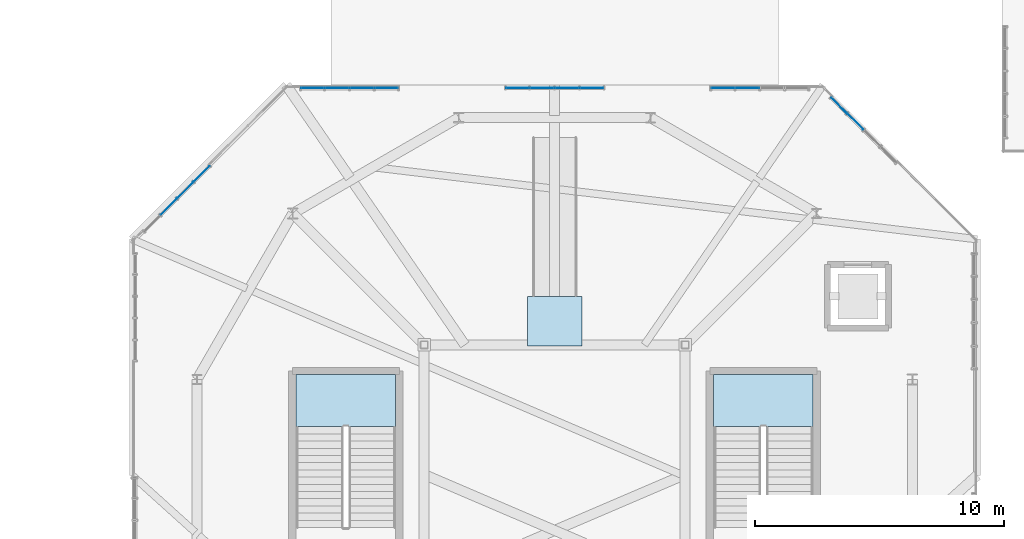
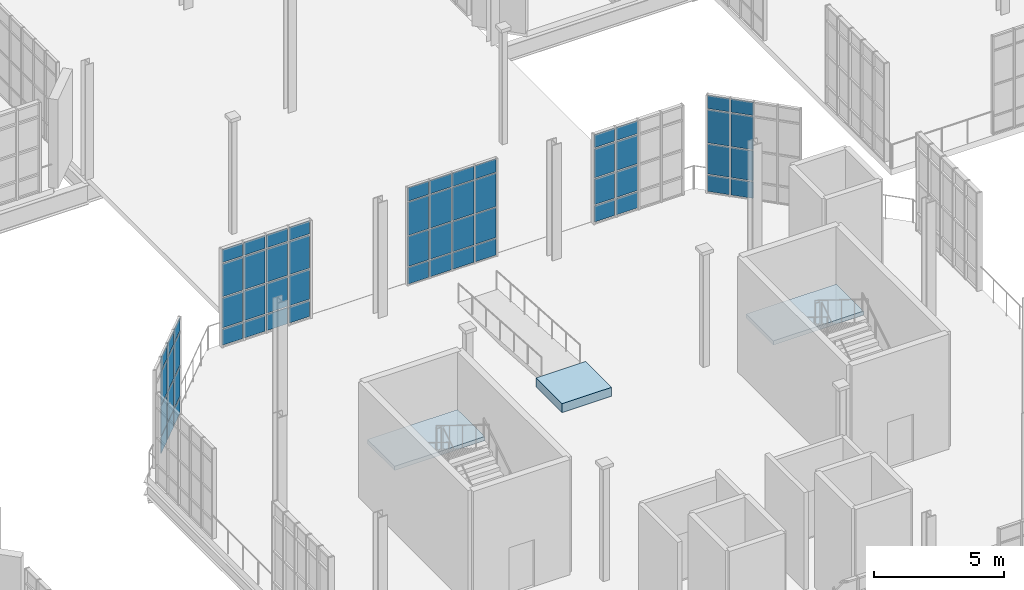
# One storey, part 152 of 189: 60 plates, 3 slabs, 7 elements without a shape of their own.
"""IFC4 building model written with IfcOpenShell, lengths in metres."""

from ifc_helpers import new_model, si_unit, direction, frame, origin, origin_2d, place, context, subcontext, project, spatial, polyline, rectangle, outline, extrude, material, layer, layer_set, type_object, element, aggregate, save


model = new_model("IFC4")

# Units and contexts
model_context = context("Model", 3, precision=1e-05, world=origin(), true_north=direction((0.0, 1.0)))
body_context = subcontext(model_context, "Body", "Model", "MODEL_VIEW")
ifc_project = project(units=[si_unit("LENGTHUNIT", "METRE"), si_unit("AREAUNIT", "SQUARE_METRE"), si_unit("VOLUMEUNIT", "CUBIC_METRE"), si_unit("PLANEANGLEUNIT", "RADIAN"), si_unit("MASSUNIT", "GRAM", prefix="KILO"), si_unit("THERMODYNAMICTEMPERATUREUNIT", "KELVIN"), si_unit("POWERUNIT", "WATT")], contexts=[model_context])

# Site, building, storey
site_placement = place(None, origin())
site = spatial("IfcSite", under=ifc_project, at=site_placement, CompositionType="ELEMENT")
building_placement = place(site_placement, origin())
building = spatial("IfcBuilding", under=site, at=building_placement, Name="Zelmaris Science Centre", CompositionType="ELEMENT")
storey_placement = place(building_placement, origin())
storey = spatial("IfcBuildingStorey", under=building, at=storey_placement, Name="L00", CompositionType="ELEMENT", Elevation=0.0)

# Curtain wall, plates
ifc_material_1 = material(Name="Anodised architectural aluminium 6063-T6", Category="aluminium")
ifc_layer_1 = layer(ifc_material_1, 0.199951171875, Name="Anodised architectural aluminium 6063-T6")
ifc_layer_set_1 = layer_set([ifc_layer_1], Name="Anodised architectural aluminium 6063-T6")
curtain_wall_type_1 = type_object("IfcCurtainWallType", Name="Curtain Wall CW-02", PredefinedType="USERDEFINED", material=ifc_layer_set_1)
curtain_wall_1_placement = place(storey_placement, origin())
curtain_wall_1 = element("IfcCurtainWall", 1, at=curtain_wall_1_placement, inside=storey, type_object=curtain_wall_type_1, Name="L00 Unitised curtain wall 54", ObjectType="GLAZED CURTAIN WALL", PredefinedType="USERDEFINED")
ifc_material_2 = material(Name="Laminated hurricane-rated low-E insulated glazing", Category="glass")
ifc_layer_2 = layer(ifc_material_2, 0.028076171875, Name="Laminated hurricane-rated low-E insulated glazing")
ifc_layer_set_2 = layer_set([ifc_layer_2], Name="Laminated hurricane-rated low-E insulated glazing")
plate_type_1 = type_object("IfcPlateType", Name="Curtain Glazing Panel CWP-2 28mm", PredefinedType="CURTAIN_PANEL", material=ifc_layer_set_2)
plate_1_placement = place(storey_placement, frame((71.25927734375, 51.580078125, 0.052001953125), z_axis=(0.0, 0.0, 1.0), x_axis=(1.0, 0.0, 0.0)))
plate_1 = element("IfcPlate", 2, at=plate_1_placement, type_object=plate_type_1, Name="CW-02 panel 1.1", PredefinedType="CURTAIN_PANEL", context=body_context, shape_type="SweptSolid", body=[
    extrude(rectangle(XDim=0.9013671875, YDim=0.028076171875, at=origin_2d()), origin(), (0.0, 0.0, 1.0), 0.74951171875),
])
plate_2_placement = place(storey_placement, frame((71.25927734375, 51.580078125, 0.86865234375), z_axis=(0.0, 0.0, 1.0), x_axis=(1.0, 0.0, 0.0)))
plate_2 = element("IfcPlate", 3, at=plate_2_placement, type_object=plate_type_1, Name="CW-02 panel 1.2", PredefinedType="CURTAIN_PANEL", context=body_context, shape_type="SweptSolid", body=[
    extrude(rectangle(XDim=0.9013671875, YDim=0.028076171875, at=origin_2d()), origin(), (0.0, 0.0, 1.0), 1.390380859375),
])
plate_3_placement = place(storey_placement, frame((71.25927734375, 51.580078125, 2.325927734375), z_axis=(0.0, 0.0, 1.0), x_axis=(1.0, 0.0, 0.0)))
plate_3 = element("IfcPlate", 4, at=plate_3_placement, type_object=plate_type_1, Name="CW-02 panel 1.3", PredefinedType="CURTAIN_PANEL", context=body_context, shape_type="SweptSolid", body=[
    extrude(rectangle(XDim=0.9013671875, YDim=0.028076171875, at=origin_2d()), origin(), (0.0, 0.0, 1.0), 1.54052734375),
])
plate_4_placement = place(storey_placement, frame((71.25927734375, 51.580078125, 3.933349609375), z_axis=(0.0, 0.0, 1.0), x_axis=(1.0, 0.0, 0.0)))
plate_4 = element("IfcPlate", 5, at=plate_4_placement, type_object=plate_type_1, Name="CW-02 panel 1.4", PredefinedType="CURTAIN_PANEL", context=body_context, shape_type="SweptSolid", body=[
    extrude(rectangle(XDim=0.9013671875, YDim=0.028076171875, at=origin_2d()), origin(), (0.0, 0.0, 1.0), 0.599609375),
])
plate_5_placement = place(storey_placement, frame((72.244384765625, 51.580078125, 0.052001953125), z_axis=(0.0, 0.0, 1.0), x_axis=(1.0, 0.0, 0.0)))
plate_5 = element("IfcPlate", 6, at=plate_5_placement, type_object=plate_type_1, Name="CW-02 panel 2.1", PredefinedType="CURTAIN_PANEL", context=body_context, shape_type="SweptSolid", body=[
    extrude(rectangle(XDim=0.934814453125, YDim=0.028076171875, at=origin_2d()), origin(), (0.0, 0.0, 1.0), 0.74951171875),
])
plate_6_placement = place(storey_placement, frame((72.244384765625, 51.580078125, 0.86865234375), z_axis=(0.0, 0.0, 1.0), x_axis=(1.0, 0.0, 0.0)))
plate_6 = element("IfcPlate", 7, at=plate_6_placement, type_object=plate_type_1, Name="CW-02 panel 2.2", PredefinedType="CURTAIN_PANEL", context=body_context, shape_type="SweptSolid", body=[
    extrude(rectangle(XDim=0.934814453125, YDim=0.028076171875, at=origin_2d()), origin(), (0.0, 0.0, 1.0), 1.390380859375),
])
plate_7_placement = place(storey_placement, frame((72.244384765625, 51.580078125, 2.325927734375), z_axis=(0.0, 0.0, 1.0), x_axis=(1.0, 0.0, 0.0)))
plate_7 = element("IfcPlate", 8, at=plate_7_placement, type_object=plate_type_1, Name="CW-02 panel 2.3", PredefinedType="CURTAIN_PANEL", context=body_context, shape_type="SweptSolid", body=[
    extrude(rectangle(XDim=0.934814453125, YDim=0.028076171875, at=origin_2d()), origin(), (0.0, 0.0, 1.0), 1.54052734375),
])
plate_8_placement = place(storey_placement, frame((72.244384765625, 51.580078125, 3.933349609375), z_axis=(0.0, 0.0, 1.0), x_axis=(1.0, 0.0, 0.0)))
plate_8 = element("IfcPlate", 9, at=plate_8_placement, type_object=plate_type_1, Name="CW-02 panel 2.4", PredefinedType="CURTAIN_PANEL", context=body_context, shape_type="SweptSolid", body=[
    extrude(rectangle(XDim=0.934814453125, YDim=0.028076171875, at=origin_2d()), origin(), (0.0, 0.0, 1.0), 0.599609375),
])
plate_9_placement = place(storey_placement, frame((73.246337890625, 51.580078125, 0.052001953125), z_axis=(0.0, 0.0, 1.0), x_axis=(1.0, 0.0, 0.0)))
plate_9 = element("IfcPlate", 10, at=plate_9_placement, type_object=plate_type_1, Name="CW-02 panel 3.1", PredefinedType="CURTAIN_PANEL", context=body_context, shape_type="SweptSolid", body=[
    extrude(rectangle(XDim=0.934814453125, YDim=0.028076171875, at=origin_2d()), origin(), (0.0, 0.0, 1.0), 0.74951171875),
])
plate_10_placement = place(storey_placement, frame((73.246337890625, 51.580078125, 0.86865234375), z_axis=(0.0, 0.0, 1.0), x_axis=(1.0, 0.0, 0.0)))
plate_10 = element("IfcPlate", 11, at=plate_10_placement, type_object=plate_type_1, Name="CW-02 panel 3.2", PredefinedType="CURTAIN_PANEL", context=body_context, shape_type="SweptSolid", body=[
    extrude(rectangle(XDim=0.934814453125, YDim=0.028076171875, at=origin_2d()), origin(), (0.0, 0.0, 1.0), 1.390380859375),
])
plate_11_placement = place(storey_placement, frame((73.246337890625, 51.580078125, 2.325927734375), z_axis=(0.0, 0.0, 1.0), x_axis=(1.0, 0.0, 0.0)))
plate_11 = element("IfcPlate", 12, at=plate_11_placement, type_object=plate_type_1, Name="CW-02 panel 3.3", PredefinedType="CURTAIN_PANEL", context=body_context, shape_type="SweptSolid", body=[
    extrude(rectangle(XDim=0.934814453125, YDim=0.028076171875, at=origin_2d()), origin(), (0.0, 0.0, 1.0), 1.54052734375),
])
plate_12_placement = place(storey_placement, frame((73.246337890625, 51.580078125, 3.933349609375), z_axis=(0.0, 0.0, 1.0), x_axis=(1.0, 0.0, 0.0)))
plate_12 = element("IfcPlate", 13, at=plate_12_placement, type_object=plate_type_1, Name="CW-02 panel 3.4", PredefinedType="CURTAIN_PANEL", context=body_context, shape_type="SweptSolid", body=[
    extrude(rectangle(XDim=0.934814453125, YDim=0.028076171875, at=origin_2d()), origin(), (0.0, 0.0, 1.0), 0.599609375),
])
plate_13_placement = place(storey_placement, frame((74.2314453125, 51.580078125, 0.052001953125), z_axis=(0.0, 0.0, 1.0), x_axis=(1.0, 0.0, 0.0)))
plate_13 = element("IfcPlate", 14, at=plate_13_placement, type_object=plate_type_1, Name="CW-02 panel 4.1", PredefinedType="CURTAIN_PANEL", context=body_context, shape_type="SweptSolid", body=[
    extrude(rectangle(XDim=0.9013671875, YDim=0.028076171875, at=origin_2d()), origin(), (0.0, 0.0, 1.0), 0.74951171875),
])
plate_14_placement = place(storey_placement, frame((74.2314453125, 51.580078125, 0.86865234375), z_axis=(0.0, 0.0, 1.0), x_axis=(1.0, 0.0, 0.0)))
plate_14 = element("IfcPlate", 15, at=plate_14_placement, type_object=plate_type_1, Name="CW-02 panel 4.2", PredefinedType="CURTAIN_PANEL", context=body_context, shape_type="SweptSolid", body=[
    extrude(rectangle(XDim=0.9013671875, YDim=0.028076171875, at=origin_2d()), origin(), (0.0, 0.0, 1.0), 1.390380859375),
])
plate_15_placement = place(storey_placement, frame((74.2314453125, 51.580078125, 2.325927734375), z_axis=(0.0, 0.0, 1.0), x_axis=(1.0, 0.0, 0.0)))
plate_15 = element("IfcPlate", 16, at=plate_15_placement, type_object=plate_type_1, Name="CW-02 panel 4.3", PredefinedType="CURTAIN_PANEL", context=body_context, shape_type="SweptSolid", body=[
    extrude(rectangle(XDim=0.9013671875, YDim=0.028076171875, at=origin_2d()), origin(), (0.0, 0.0, 1.0), 1.54052734375),
])
plate_16_placement = place(storey_placement, frame((74.2314453125, 51.580078125, 3.933349609375), z_axis=(0.0, 0.0, 1.0), x_axis=(1.0, 0.0, 0.0)))
plate_16 = element("IfcPlate", 17, at=plate_16_placement, type_object=plate_type_1, Name="CW-02 panel 4.4", PredefinedType="CURTAIN_PANEL", context=body_context, shape_type="SweptSolid", body=[
    extrude(rectangle(XDim=0.9013671875, YDim=0.028076171875, at=origin_2d()), origin(), (0.0, 0.0, 1.0), 0.599609375),
])
aggregate(curtain_wall_1, [plate_1, plate_2, plate_3, plate_4, plate_5, plate_6, plate_7, plate_8, plate_9, plate_10, plate_11, plate_12, plate_13, plate_14, plate_15, plate_16])

curtain_wall_2_placement = place(storey_placement, origin())
curtain_wall_2 = element("IfcCurtainWall", 18, at=curtain_wall_2_placement, inside=storey, type_object=curtain_wall_type_1, Name="L00 Unitised curtain wall 58", ObjectType="GLAZED CURTAIN WALL", PredefinedType="USERDEFINED")
plate_17_placement = place(storey_placement, frame((87.77001953125, 51.579833984375, 0.052001953125), z_axis=(0.0, 0.0, 1.0), x_axis=(1.0, 0.0, 0.0)))
plate_17 = element("IfcPlate", 19, at=plate_17_placement, type_object=plate_type_1, Name="CW-02 panel 1.1", PredefinedType="CURTAIN_PANEL", context=body_context, shape_type="SweptSolid", body=[
    extrude(rectangle(XDim=0.9013671875, YDim=0.028076171875, at=origin_2d()), origin(), (0.0, 0.0, 1.0), 0.74951171875),
])
plate_18_placement = place(storey_placement, frame((87.77001953125, 51.579833984375, 0.86865234375), z_axis=(0.0, 0.0, 1.0), x_axis=(1.0, 0.0, 0.0)))
plate_18 = element("IfcPlate", 20, at=plate_18_placement, type_object=plate_type_1, Name="CW-02 panel 1.2", PredefinedType="CURTAIN_PANEL", context=body_context, shape_type="SweptSolid", body=[
    extrude(rectangle(XDim=0.9013671875, YDim=0.028076171875, at=origin_2d()), origin(), (0.0, 0.0, 1.0), 1.193603515625),
])
plate_19_placement = place(storey_placement, frame((87.77001953125, 51.579833984375, 2.12890625), z_axis=(0.0, 0.0, 1.0), x_axis=(1.0, 0.0, 0.0)))
plate_19 = element("IfcPlate", 21, at=plate_19_placement, type_object=plate_type_1, Name="CW-02 panel 1.3", PredefinedType="CURTAIN_PANEL", context=body_context, shape_type="SweptSolid", body=[
    extrude(rectangle(XDim=0.9013671875, YDim=0.028076171875, at=origin_2d()), origin(), (0.0, 0.0, 1.0), 1.343505859375),
])
plate_20_placement = place(storey_placement, frame((87.77001953125, 51.579833984375, 3.53955078125), z_axis=(0.0, 0.0, 1.0), x_axis=(1.0, 0.0, 0.0)))
plate_20 = element("IfcPlate", 22, at=plate_20_placement, type_object=plate_type_1, Name="CW-02 panel 1.4", PredefinedType="CURTAIN_PANEL", context=body_context, shape_type="SweptSolid", body=[
    extrude(rectangle(XDim=0.9013671875, YDim=0.028076171875, at=origin_2d()), origin(), (0.0, 0.0, 1.0), 0.599609375),
])
plate_21_placement = place(storey_placement, frame((88.755126953125, 51.579833984375, 0.052001953125), z_axis=(0.0, 0.0, 1.0), x_axis=(1.0, 0.0, 0.0)))
plate_21 = element("IfcPlate", 23, at=plate_21_placement, type_object=plate_type_1, Name="CW-02 panel 2.1", PredefinedType="CURTAIN_PANEL", context=body_context, shape_type="SweptSolid", body=[
    extrude(rectangle(XDim=0.934814453125, YDim=0.028076171875, at=origin_2d()), origin(), (0.0, 0.0, 1.0), 0.74951171875),
])
plate_22_placement = place(storey_placement, frame((88.755126953125, 51.579833984375, 0.86865234375), z_axis=(0.0, 0.0, 1.0), x_axis=(1.0, 0.0, 0.0)))
plate_22 = element("IfcPlate", 24, at=plate_22_placement, type_object=plate_type_1, Name="CW-02 panel 2.2", PredefinedType="CURTAIN_PANEL", context=body_context, shape_type="SweptSolid", body=[
    extrude(rectangle(XDim=0.934814453125, YDim=0.028076171875, at=origin_2d()), origin(), (0.0, 0.0, 1.0), 1.193603515625),
])
plate_23_placement = place(storey_placement, frame((88.755126953125, 51.579833984375, 2.12890625), z_axis=(0.0, 0.0, 1.0), x_axis=(1.0, 0.0, 0.0)))
plate_23 = element("IfcPlate", 25, at=plate_23_placement, type_object=plate_type_1, Name="CW-02 panel 2.3", PredefinedType="CURTAIN_PANEL", context=body_context, shape_type="SweptSolid", body=[
    extrude(rectangle(XDim=0.934814453125, YDim=0.028076171875, at=origin_2d()), origin(), (0.0, 0.0, 1.0), 1.343505859375),
])
plate_24_placement = place(storey_placement, frame((88.755126953125, 51.579833984375, 3.53955078125), z_axis=(0.0, 0.0, 1.0), x_axis=(1.0, 0.0, 0.0)))
plate_24 = element("IfcPlate", 26, at=plate_24_placement, type_object=plate_type_1, Name="CW-02 panel 2.4", PredefinedType="CURTAIN_PANEL", context=body_context, shape_type="SweptSolid", body=[
    extrude(rectangle(XDim=0.934814453125, YDim=0.028076171875, at=origin_2d()), origin(), (0.0, 0.0, 1.0), 0.599609375),
])
aggregate(curtain_wall_2, [plate_17, plate_18, plate_19, plate_20, plate_21, plate_22, plate_23, plate_24])

ifc_layer_3 = layer(ifc_material_1, 0.2099609375, Name="Anodised architectural aluminium 6063-T6")
ifc_layer_set_3 = layer_set([ifc_layer_3], Name="Anodised architectural aluminium 6063-T6")
curtain_wall_type_2 = type_object("IfcCurtainWallType", Name="Curtain Wall CW-03", PredefinedType="USERDEFINED", material=ifc_layer_set_3)
curtain_wall_3_placement = place(storey_placement, origin())
curtain_wall_3 = element("IfcCurtainWall", 27, at=curtain_wall_3_placement, inside=storey, type_object=curtain_wall_type_2, Name="L00 Unitised curtain wall 59", ObjectType="GLAZED CURTAIN WALL", PredefinedType="USERDEFINED")
ifc_layer_4 = layer(ifc_material_2, 0.02587890625, Name="Laminated hurricane-rated low-E insulated glazing")
ifc_layer_set_4 = layer_set([ifc_layer_4], Name="Laminated hurricane-rated low-E insulated glazing")
plate_type_2 = type_object("IfcPlateType", Name="Curtain Glazing Panel CWP-3 26mm", PredefinedType="CURTAIN_PANEL", material=ifc_layer_set_4)
plate_25_placement = place(storey_placement, frame((92.44140625, 50.888671875, 0.0419921875), z_axis=(0.0, 0.0, 1.0), x_axis=(0.707106781187, -0.707106781187, 0.0)))
plate_25 = element("IfcPlate", 28, at=plate_25_placement, type_object=plate_type_2, Name="CW-03 panel 1.1", PredefinedType="CURTAIN_PANEL", context=body_context, shape_type="SweptSolid", body=[
    extrude(rectangle(XDim=0.860595703125, YDim=0.02587890625, at=origin_2d()), origin(), (0.0, 0.0, 1.0), 0.764404296875),
])
plate_26_placement = place(storey_placement, frame((92.44140625, 50.888671875, 0.863525390625), z_axis=(0.0, 0.0, 1.0), x_axis=(0.707106781187, -0.707106781187, 0.0)))
plate_26 = element("IfcPlate", 29, at=plate_26_placement, type_object=plate_type_2, Name="CW-03 panel 1.2", PredefinedType="CURTAIN_PANEL", context=body_context, shape_type="SweptSolid", body=[
    extrude(rectangle(XDim=0.860595703125, YDim=0.02587890625, at=origin_2d()), origin(), (0.0, 0.0, 1.0), 1.400390625),
])
plate_27_placement = place(storey_placement, frame((92.44140625, 50.888671875, 2.32080078125), z_axis=(0.0, 0.0, 1.0), x_axis=(0.707106781187, -0.707106781187, 0.0)))
plate_27 = element("IfcPlate", 30, at=plate_27_placement, type_object=plate_type_2, Name="CW-03 panel 1.3", PredefinedType="CURTAIN_PANEL", context=body_context, shape_type="SweptSolid", body=[
    extrude(rectangle(XDim=0.860595703125, YDim=0.02587890625, at=origin_2d()), origin(), (0.0, 0.0, 1.0), 1.550537109375),
])
plate_28_placement = place(storey_placement, frame((92.44140625, 50.888671875, 3.9287109375), z_axis=(0.0, 0.0, 1.0), x_axis=(0.707106781187, -0.707106781187, 0.0)))
plate_28 = element("IfcPlate", 31, at=plate_28_placement, type_object=plate_type_2, Name="CW-03 panel 1.4", PredefinedType="CURTAIN_PANEL", context=body_context, shape_type="SweptSolid", body=[
    extrude(rectangle(XDim=0.860595703125, YDim=0.02587890625, at=origin_2d()), origin(), (0.0, 0.0, 1.0), 0.614501953125),
])
plate_29_placement = place(storey_placement, frame((93.100341796875, 50.229736328125, 0.0419921875), z_axis=(0.0, 0.0, 1.0), x_axis=(0.707106781187, -0.707106781187, 0.0)))
plate_29 = element("IfcPlate", 32, at=plate_29_placement, type_object=plate_type_2, Name="CW-03 panel 2.1", PredefinedType="CURTAIN_PANEL", context=body_context, shape_type="SweptSolid", body=[
    extrude(rectangle(XDim=0.888916015625, YDim=0.02587890625, at=origin_2d()), origin(), (0.0, 0.0, 1.0), 0.764404296875),
])
plate_30_placement = place(storey_placement, frame((93.100341796875, 50.229736328125, 0.863525390625), z_axis=(0.0, 0.0, 1.0), x_axis=(0.707106781187, -0.707106781187, 0.0)))
plate_30 = element("IfcPlate", 33, at=plate_30_placement, type_object=plate_type_2, Name="CW-03 panel 2.2", PredefinedType="CURTAIN_PANEL", context=body_context, shape_type="SweptSolid", body=[
    extrude(rectangle(XDim=0.888916015625, YDim=0.02587890625, at=origin_2d()), origin(), (0.0, 0.0, 1.0), 1.400390625),
])
plate_31_placement = place(storey_placement, frame((93.100341796875, 50.229736328125, 2.32080078125), z_axis=(0.0, 0.0, 1.0), x_axis=(0.707106781187, -0.707106781187, 0.0)))
plate_31 = element("IfcPlate", 34, at=plate_31_placement, type_object=plate_type_2, Name="CW-03 panel 2.3", PredefinedType="CURTAIN_PANEL", context=body_context, shape_type="SweptSolid", body=[
    extrude(rectangle(XDim=0.888916015625, YDim=0.02587890625, at=origin_2d()), origin(), (0.0, 0.0, 1.0), 1.550537109375),
])
plate_32_placement = place(storey_placement, frame((93.100341796875, 50.229736328125, 3.9287109375), z_axis=(0.0, 0.0, 1.0), x_axis=(0.707106781187, -0.707106781187, 0.0)))
plate_32 = element("IfcPlate", 35, at=plate_32_placement, type_object=plate_type_2, Name="CW-03 panel 2.4", PredefinedType="CURTAIN_PANEL", context=body_context, shape_type="SweptSolid", body=[
    extrude(rectangle(XDim=0.888916015625, YDim=0.02587890625, at=origin_2d()), origin(), (0.0, 0.0, 1.0), 0.614501953125),
])
aggregate(curtain_wall_3, [plate_25, plate_26, plate_27, plate_28, plate_29, plate_30, plate_31, plate_32])

ifc_layer_5 = layer(ifc_material_1, 0.219970703125, Name="Anodised architectural aluminium 6063-T6")
ifc_layer_set_5 = layer_set([ifc_layer_5], Name="Anodised architectural aluminium 6063-T6")
curtain_wall_type_3 = type_object("IfcCurtainWallType", Name="Curtain Wall CW-04", PredefinedType="USERDEFINED", material=ifc_layer_set_5)
curtain_wall_4_placement = place(storey_placement, origin())
curtain_wall_4 = element("IfcCurtainWall", 36, at=curtain_wall_4_placement, inside=storey, type_object=curtain_wall_type_3, Name="L00 Unitised curtain wall 52", ObjectType="GLAZED CURTAIN WALL", PredefinedType="USERDEFINED")
ifc_layer_6 = layer(ifc_material_2, 0.02392578125, Name="Laminated hurricane-rated low-E insulated glazing")
ifc_layer_set_6 = layer_set([ifc_layer_6], Name="Laminated hurricane-rated low-E insulated glazing")
plate_type_3 = type_object("IfcPlateType", Name="Curtain Glazing Panel CWP-4 24mm", PredefinedType="CURTAIN_PANEL", material=ifc_layer_set_6)
plate_33_placement = place(storey_placement, frame((65.470458984375, 46.80029296875, 0.037109375), z_axis=(0.0, 0.0, 1.0), x_axis=(0.707172836921, 0.707040719281, 0.0)))
plate_33 = element("IfcPlate", 37, at=plate_33_placement, type_object=plate_type_3, Name="CW-04 panel 2.1", PredefinedType="CURTAIN_PANEL", context=body_context, shape_type="SweptSolid", body=[
    extrude(rectangle(XDim=0.89404296875, YDim=0.02392578125, at=origin_2d()), origin(), (0.0, 0.0, 1.0), 0.77197265625),
])
plate_34_placement = place(storey_placement, frame((65.470458984375, 46.80029296875, 0.86083984375), z_axis=(0.0, 0.0, 1.0), x_axis=(0.707172836921, 0.707040719281, 0.0)))
plate_34 = element("IfcPlate", 38, at=plate_34_placement, type_object=plate_type_3, Name="CW-04 panel 2.2", PredefinedType="CURTAIN_PANEL", context=body_context, shape_type="SweptSolid", body=[
    extrude(rectangle(XDim=0.89404296875, YDim=0.02392578125, at=origin_2d()), origin(), (0.0, 0.0, 1.0), 1.405517578125),
])
plate_35_placement = place(storey_placement, frame((65.470458984375, 46.80029296875, 2.318359375), z_axis=(0.0, 0.0, 1.0), x_axis=(0.707172836921, 0.707040719281, 0.0)))
plate_35 = element("IfcPlate", 39, at=plate_35_placement, type_object=plate_type_3, Name="CW-04 panel 2.3", PredefinedType="CURTAIN_PANEL", context=body_context, shape_type="SweptSolid", body=[
    extrude(rectangle(XDim=0.89404296875, YDim=0.02392578125, at=origin_2d()), origin(), (0.0, 0.0, 1.0), 1.555419921875),
])
plate_36_placement = place(storey_placement, frame((65.470458984375, 46.80029296875, 3.926025390625), z_axis=(0.0, 0.0, 1.0), x_axis=(0.707172836921, 0.707040719281, 0.0)))
plate_36 = element("IfcPlate", 40, at=plate_36_placement, type_object=plate_type_3, Name="CW-04 panel 2.4", PredefinedType="CURTAIN_PANEL", context=body_context, shape_type="SweptSolid", body=[
    extrude(rectangle(XDim=0.89404296875, YDim=0.02392578125, at=origin_2d()), origin(), (0.0, 0.0, 1.0), 0.6220703125),
])
plate_37_placement = place(storey_placement, frame((66.139404296875, 47.46923828125, 0.037109375), z_axis=(0.0, 0.0, 1.0), x_axis=(0.707172836921, 0.707040719281, 0.0)))
plate_37 = element("IfcPlate", 41, at=plate_37_placement, type_object=plate_type_3, Name="CW-04 panel 3.1", PredefinedType="CURTAIN_PANEL", context=body_context, shape_type="SweptSolid", body=[
    extrude(rectangle(XDim=0.89404296875, YDim=0.02392578125, at=origin_2d()), origin(), (0.0, 0.0, 1.0), 0.77197265625),
])
plate_38_placement = place(storey_placement, frame((66.139404296875, 47.46923828125, 0.86083984375), z_axis=(0.0, 0.0, 1.0), x_axis=(0.707172836921, 0.707040719281, 0.0)))
plate_38 = element("IfcPlate", 42, at=plate_38_placement, type_object=plate_type_3, Name="CW-04 panel 3.2", PredefinedType="CURTAIN_PANEL", context=body_context, shape_type="SweptSolid", body=[
    extrude(rectangle(XDim=0.89404296875, YDim=0.02392578125, at=origin_2d()), origin(), (0.0, 0.0, 1.0), 1.405517578125),
])
plate_39_placement = place(storey_placement, frame((66.139404296875, 47.46923828125, 2.318359375), z_axis=(0.0, 0.0, 1.0), x_axis=(0.707172836921, 0.707040719281, 0.0)))
plate_39 = element("IfcPlate", 43, at=plate_39_placement, type_object=plate_type_3, Name="CW-04 panel 3.3", PredefinedType="CURTAIN_PANEL", context=body_context, shape_type="SweptSolid", body=[
    extrude(rectangle(XDim=0.89404296875, YDim=0.02392578125, at=origin_2d()), origin(), (0.0, 0.0, 1.0), 1.555419921875),
])
plate_40_placement = place(storey_placement, frame((66.139404296875, 47.46923828125, 3.926025390625), z_axis=(0.0, 0.0, 1.0), x_axis=(0.707172836921, 0.707040719281, 0.0)))
plate_40 = element("IfcPlate", 44, at=plate_40_placement, type_object=plate_type_3, Name="CW-04 panel 3.4", PredefinedType="CURTAIN_PANEL", context=body_context, shape_type="SweptSolid", body=[
    extrude(rectangle(XDim=0.89404296875, YDim=0.02392578125, at=origin_2d()), origin(), (0.0, 0.0, 1.0), 0.6220703125),
])
plate_41_placement = place(storey_placement, frame((66.79931640625, 48.129150390625, 0.037109375), z_axis=(0.0, 0.0, 1.0), x_axis=(0.707172836921, 0.707040719281, 0.0)))
plate_41 = element("IfcPlate", 45, at=plate_41_placement, type_object=plate_type_3, Name="CW-04 panel 4.1", PredefinedType="CURTAIN_PANEL", context=body_context, shape_type="SweptSolid", body=[
    extrude(rectangle(XDim=0.8681640625, YDim=0.02392578125, at=origin_2d()), origin(), (0.0, 0.0, 1.0), 0.77197265625),
])
plate_42_placement = place(storey_placement, frame((66.79931640625, 48.129150390625, 0.86083984375), z_axis=(0.0, 0.0, 1.0), x_axis=(0.707172836921, 0.707040719281, 0.0)))
plate_42 = element("IfcPlate", 46, at=plate_42_placement, type_object=plate_type_3, Name="CW-04 panel 4.2", PredefinedType="CURTAIN_PANEL", context=body_context, shape_type="SweptSolid", body=[
    extrude(rectangle(XDim=0.8681640625, YDim=0.02392578125, at=origin_2d()), origin(), (0.0, 0.0, 1.0), 1.405517578125),
])
plate_43_placement = place(storey_placement, frame((66.79931640625, 48.129150390625, 2.318359375), z_axis=(0.0, 0.0, 1.0), x_axis=(0.707172836921, 0.707040719281, 0.0)))
plate_43 = element("IfcPlate", 47, at=plate_43_placement, type_object=plate_type_3, Name="CW-04 panel 4.3", PredefinedType="CURTAIN_PANEL", context=body_context, shape_type="SweptSolid", body=[
    extrude(rectangle(XDim=0.8681640625, YDim=0.02392578125, at=origin_2d()), origin(), (0.0, 0.0, 1.0), 1.555419921875),
])
plate_44_placement = place(storey_placement, frame((66.79931640625, 48.129150390625, 3.926025390625), z_axis=(0.0, 0.0, 1.0), x_axis=(0.707172836921, 0.707040719281, 0.0)))
plate_44 = element("IfcPlate", 48, at=plate_44_placement, type_object=plate_type_3, Name="CW-04 panel 4.4", PredefinedType="CURTAIN_PANEL", context=body_context, shape_type="SweptSolid", body=[
    extrude(rectangle(XDim=0.8681640625, YDim=0.02392578125, at=origin_2d()), origin(), (0.0, 0.0, 1.0), 0.6220703125),
])
aggregate(curtain_wall_4, [plate_33, plate_34, plate_35, plate_36, plate_37, plate_38, plate_39, plate_40, plate_41, plate_42, plate_43, plate_44])

curtain_wall_5_placement = place(storey_placement, origin())
curtain_wall_5 = element("IfcCurtainWall", 49, at=curtain_wall_5_placement, inside=storey, type_object=curtain_wall_type_3, Name="L00 Unitised curtain wall 56", ObjectType="GLAZED CURTAIN WALL", PredefinedType="USERDEFINED")
plate_45_placement = place(storey_placement, frame((79.5107421875, 51.580078125, 0.037109375), z_axis=(0.0, 0.0, 1.0), x_axis=(1.0, 0.0, 0.0)))
plate_45 = element("IfcPlate", 50, at=plate_45_placement, type_object=plate_type_3, Name="CW-04 panel 1.1", PredefinedType="CURTAIN_PANEL", context=body_context, shape_type="SweptSolid", body=[
    extrude(rectangle(XDim=0.923828125, YDim=0.02392578125, at=origin_2d()), origin(), (0.0, 0.0, 1.0), 0.77197265625),
])
plate_46_placement = place(storey_placement, frame((79.5107421875, 51.580078125, 0.86083984375), z_axis=(0.0, 0.0, 1.0), x_axis=(1.0, 0.0, 0.0)))
plate_46 = element("IfcPlate", 51, at=plate_46_placement, type_object=plate_type_3, Name="CW-04 panel 1.2", PredefinedType="CURTAIN_PANEL", context=body_context, shape_type="SweptSolid", body=[
    extrude(rectangle(XDim=0.923828125, YDim=0.02392578125, at=origin_2d()), origin(), (0.0, 0.0, 1.0), 1.405517578125),
])
plate_47_placement = place(storey_placement, frame((79.5107421875, 51.580078125, 2.318359375), z_axis=(0.0, 0.0, 1.0), x_axis=(1.0, 0.0, 0.0)))
plate_47 = element("IfcPlate", 52, at=plate_47_placement, type_object=plate_type_3, Name="CW-04 panel 1.3", PredefinedType="CURTAIN_PANEL", context=body_context, shape_type="SweptSolid", body=[
    extrude(rectangle(XDim=0.923828125, YDim=0.02392578125, at=origin_2d()), origin(), (0.0, 0.0, 1.0), 1.555419921875),
])
plate_48_placement = place(storey_placement, frame((79.5107421875, 51.580078125, 3.926025390625), z_axis=(0.0, 0.0, 1.0), x_axis=(1.0, 0.0, 0.0)))
plate_48 = element("IfcPlate", 53, at=plate_48_placement, type_object=plate_type_3, Name="CW-04 panel 1.4", PredefinedType="CURTAIN_PANEL", context=body_context, shape_type="SweptSolid", body=[
    extrude(rectangle(XDim=0.923828125, YDim=0.02392578125, at=origin_2d()), origin(), (0.0, 0.0, 1.0), 0.6220703125),
])
plate_49_placement = place(storey_placement, frame((80.499755859375, 51.580078125, 0.037109375), z_axis=(0.0, 0.0, 1.0), x_axis=(1.0, 0.0, 0.0)))
plate_49 = element("IfcPlate", 54, at=plate_49_placement, type_object=plate_type_3, Name="CW-04 panel 2.1", PredefinedType="CURTAIN_PANEL", context=body_context, shape_type="SweptSolid", body=[
    extrude(rectangle(XDim=0.949951171875, YDim=0.02392578125, at=origin_2d()), origin(), (0.0, 0.0, 1.0), 0.77197265625),
])
plate_50_placement = place(storey_placement, frame((80.499755859375, 51.580078125, 0.86083984375), z_axis=(0.0, 0.0, 1.0), x_axis=(1.0, 0.0, 0.0)))
plate_50 = element("IfcPlate", 55, at=plate_50_placement, type_object=plate_type_3, Name="CW-04 panel 2.2", PredefinedType="CURTAIN_PANEL", context=body_context, shape_type="SweptSolid", body=[
    extrude(rectangle(XDim=0.949951171875, YDim=0.02392578125, at=origin_2d()), origin(), (0.0, 0.0, 1.0), 1.405517578125),
])
plate_51_placement = place(storey_placement, frame((80.499755859375, 51.580078125, 2.318359375), z_axis=(0.0, 0.0, 1.0), x_axis=(1.0, 0.0, 0.0)))
plate_51 = element("IfcPlate", 56, at=plate_51_placement, type_object=plate_type_3, Name="CW-04 panel 2.3", PredefinedType="CURTAIN_PANEL", context=body_context, shape_type="SweptSolid", body=[
    extrude(rectangle(XDim=0.949951171875, YDim=0.02392578125, at=origin_2d()), origin(), (0.0, 0.0, 1.0), 1.555419921875),
])
plate_52_placement = place(storey_placement, frame((80.499755859375, 51.580078125, 3.926025390625), z_axis=(0.0, 0.0, 1.0), x_axis=(1.0, 0.0, 0.0)))
plate_52 = element("IfcPlate", 57, at=plate_52_placement, type_object=plate_type_3, Name="CW-04 panel 2.4", PredefinedType="CURTAIN_PANEL", context=body_context, shape_type="SweptSolid", body=[
    extrude(rectangle(XDim=0.949951171875, YDim=0.02392578125, at=origin_2d()), origin(), (0.0, 0.0, 1.0), 0.6220703125),
])
plate_53_placement = place(storey_placement, frame((81.501708984375, 51.580078125, 0.037109375), z_axis=(0.0, 0.0, 1.0), x_axis=(1.0, 0.0, 0.0)))
plate_53 = element("IfcPlate", 58, at=plate_53_placement, type_object=plate_type_3, Name="CW-04 panel 3.1", PredefinedType="CURTAIN_PANEL", context=body_context, shape_type="SweptSolid", body=[
    extrude(rectangle(XDim=0.949951171875, YDim=0.02392578125, at=origin_2d()), origin(), (0.0, 0.0, 1.0), 0.77197265625),
])
plate_54_placement = place(storey_placement, frame((81.501708984375, 51.580078125, 0.86083984375), z_axis=(0.0, 0.0, 1.0), x_axis=(1.0, 0.0, 0.0)))
plate_54 = element("IfcPlate", 59, at=plate_54_placement, type_object=plate_type_3, Name="CW-04 panel 3.2", PredefinedType="CURTAIN_PANEL", context=body_context, shape_type="SweptSolid", body=[
    extrude(rectangle(XDim=0.949951171875, YDim=0.02392578125, at=origin_2d()), origin(), (0.0, 0.0, 1.0), 1.405517578125),
])
plate_55_placement = place(storey_placement, frame((81.501708984375, 51.580078125, 2.318359375), z_axis=(0.0, 0.0, 1.0), x_axis=(1.0, 0.0, 0.0)))
plate_55 = element("IfcPlate", 60, at=plate_55_placement, type_object=plate_type_3, Name="CW-04 panel 3.3", PredefinedType="CURTAIN_PANEL", context=body_context, shape_type="SweptSolid", body=[
    extrude(rectangle(XDim=0.949951171875, YDim=0.02392578125, at=origin_2d()), origin(), (0.0, 0.0, 1.0), 1.555419921875),
])
plate_56_placement = place(storey_placement, frame((81.501708984375, 51.580078125, 3.926025390625), z_axis=(0.0, 0.0, 1.0), x_axis=(1.0, 0.0, 0.0)))
plate_56 = element("IfcPlate", 61, at=plate_56_placement, type_object=plate_type_3, Name="CW-04 panel 3.4", PredefinedType="CURTAIN_PANEL", context=body_context, shape_type="SweptSolid", body=[
    extrude(rectangle(XDim=0.949951171875, YDim=0.02392578125, at=origin_2d()), origin(), (0.0, 0.0, 1.0), 0.6220703125),
])
plate_57_placement = place(storey_placement, frame((82.49072265625, 51.580078125, 0.037109375), z_axis=(0.0, 0.0, 1.0), x_axis=(1.0, 0.0, 0.0)))
plate_57 = element("IfcPlate", 62, at=plate_57_placement, type_object=plate_type_3, Name="CW-04 panel 4.1", PredefinedType="CURTAIN_PANEL", context=body_context, shape_type="SweptSolid", body=[
    extrude(rectangle(XDim=0.923828125, YDim=0.02392578125, at=origin_2d()), origin(), (0.0, 0.0, 1.0), 0.77197265625),
])
plate_58_placement = place(storey_placement, frame((82.49072265625, 51.580078125, 0.86083984375), z_axis=(0.0, 0.0, 1.0), x_axis=(1.0, 0.0, 0.0)))
plate_58 = element("IfcPlate", 63, at=plate_58_placement, type_object=plate_type_3, Name="CW-04 panel 4.2", PredefinedType="CURTAIN_PANEL", context=body_context, shape_type="SweptSolid", body=[
    extrude(rectangle(XDim=0.923828125, YDim=0.02392578125, at=origin_2d()), origin(), (0.0, 0.0, 1.0), 1.405517578125),
])
plate_59_placement = place(storey_placement, frame((82.49072265625, 51.580078125, 2.318359375), z_axis=(0.0, 0.0, 1.0), x_axis=(1.0, 0.0, 0.0)))
plate_59 = element("IfcPlate", 64, at=plate_59_placement, type_object=plate_type_3, Name="CW-04 panel 4.3", PredefinedType="CURTAIN_PANEL", context=body_context, shape_type="SweptSolid", body=[
    extrude(rectangle(XDim=0.923828125, YDim=0.02392578125, at=origin_2d()), origin(), (0.0, 0.0, 1.0), 1.555419921875),
])
plate_60_placement = place(storey_placement, frame((82.49072265625, 51.580078125, 3.926025390625), z_axis=(0.0, 0.0, 1.0), x_axis=(1.0, 0.0, 0.0)))
plate_60 = element("IfcPlate", 65, at=plate_60_placement, type_object=plate_type_3, Name="CW-04 panel 4.4", PredefinedType="CURTAIN_PANEL", context=body_context, shape_type="SweptSolid", body=[
    extrude(rectangle(XDim=0.923828125, YDim=0.02392578125, at=origin_2d()), origin(), (0.0, 0.0, 1.0), 0.6220703125),
])
aggregate(curtain_wall_5, [plate_45, plate_46, plate_47, plate_48, plate_49, plate_50, plate_51, plate_52, plate_53, plate_54, plate_55, plate_56, plate_57, plate_58, plate_59, plate_60])

# Stair, slab
ifc_material_3 = material(Name="Concrete C40/50", Category="concrete")
stair_type = type_object("IfcStairType", Name="Exit Stair ST-A W1900", PredefinedType="HALF_TURN_STAIR", material=ifc_material_3)
stair_1_placement = place(storey_placement, origin())
stair_1 = element("IfcStair", 66, at=stair_1_placement, inside=storey, type_object=stair_type, Name="L00 Exit Stair Core ST-1", PredefinedType="HALF_TURN_STAIR")
ifc_material_4 = material(Name="Concrete C35/45", Category="concrete")
ifc_layer_7 = layer(ifc_material_4, 0.18994140625, Name="Concrete C35/45")
ifc_layer_set_7 = layer_set([ifc_layer_7], Name="Concrete C35/45")
slab_type_1 = type_object("IfcSlabType", Name="Slab SL-LD190 190mm", PredefinedType="LANDING", material=ifc_layer_set_7)
slab_1_placement = place(storey_placement, frame((0.0, 0.0, 2.510009765625)))
slab_1 = element("IfcSlab", 67, at=slab_1_placement, type_object=slab_type_1, Name="ST-1 landing 1", PredefinedType="LANDING", context=body_context, shape_type="SweptSolid", body=[
    extrude(outline(polyline([(74.60009765625, 37.9599609375), (74.60009765625, 40.050048828125), (70.60009765625, 40.050048828125), (70.60009765625, 37.9599609375), (74.60009765625, 37.9599609375)])), origin(), (0.0, 0.0, 1.0), 0.18994140625),
])
aggregate(stair_1, [slab_1])

stair_2_placement = place(storey_placement, origin())
stair_2 = element("IfcStair", 68, at=stair_2_placement, inside=storey, type_object=stair_type, Name="L00 Exit Stair Core ST-2", PredefinedType="HALF_TURN_STAIR")
slab_2_placement = place(storey_placement, frame((0.0, 0.0, 2.510009765625)))
slab_2 = element("IfcSlab", 69, at=slab_2_placement, type_object=slab_type_1, Name="ST-2 landing 1", PredefinedType="LANDING", context=body_context, shape_type="SweptSolid", body=[
    extrude(outline(polyline([(91.39990234375, 37.9599609375), (91.39990234375, 40.050048828125), (87.39990234375, 40.050048828125), (87.39990234375, 37.9599609375), (91.39990234375, 37.9599609375)])), origin(), (0.0, 0.0, 1.0), 0.18994140625),
])
aggregate(stair_2, [slab_2])

# Slab
ifc_layer_8 = layer(ifc_material_4, 0.419921875, Name="Concrete C35/45")
ifc_layer_set_8 = layer_set([ifc_layer_8], Name="Concrete C35/45")
slab_type_2 = type_object("IfcSlabType", Name="Slab SL-LD420 420mm", PredefinedType="LANDING", material=ifc_layer_set_8)
slab_3_placement = place(storey_placement, origin())
element("IfcSlab", 70, at=slab_3_placement, inside=storey, type_object=slab_type_2, Name="L00 Atrium arrival gallery ramp arrival landing", PredefinedType="LANDING", context=body_context, shape_type="SweptSolid", body=[
    extrude(outline(polyline([(79.89990234375, 41.199951171875), (82.10009765625, 41.199951171875), (82.10009765625, 43.199951171875), (79.89990234375, 43.199951171875), (79.89990234375, 41.199951171875)])), origin(), (0.0, 0.0, 1.0), 0.419921875),
])

save(model, "model.ifc")
